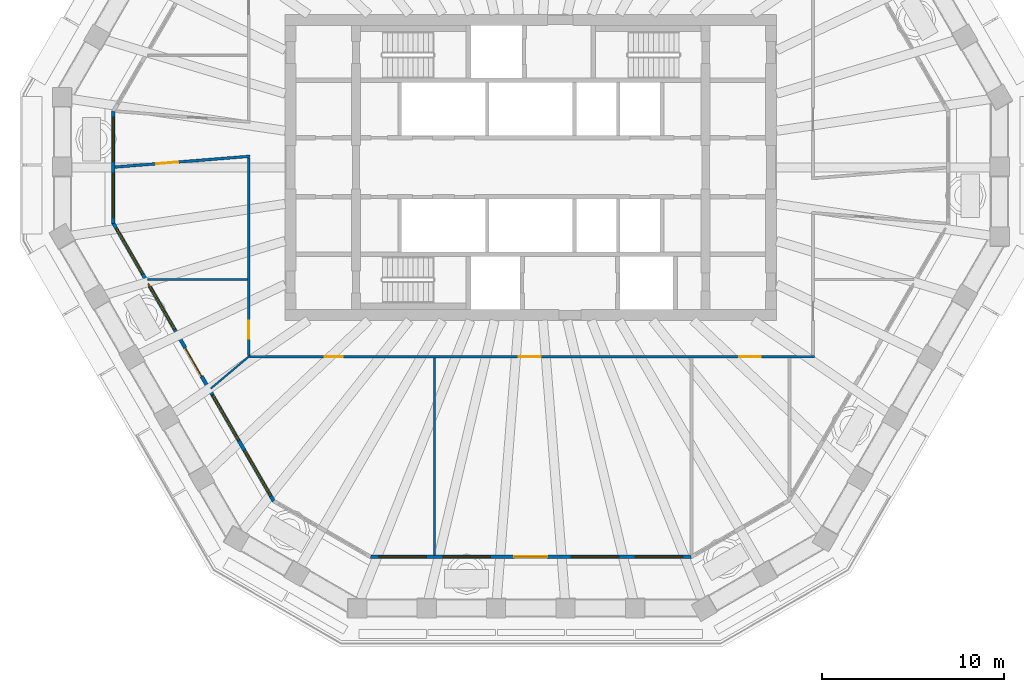
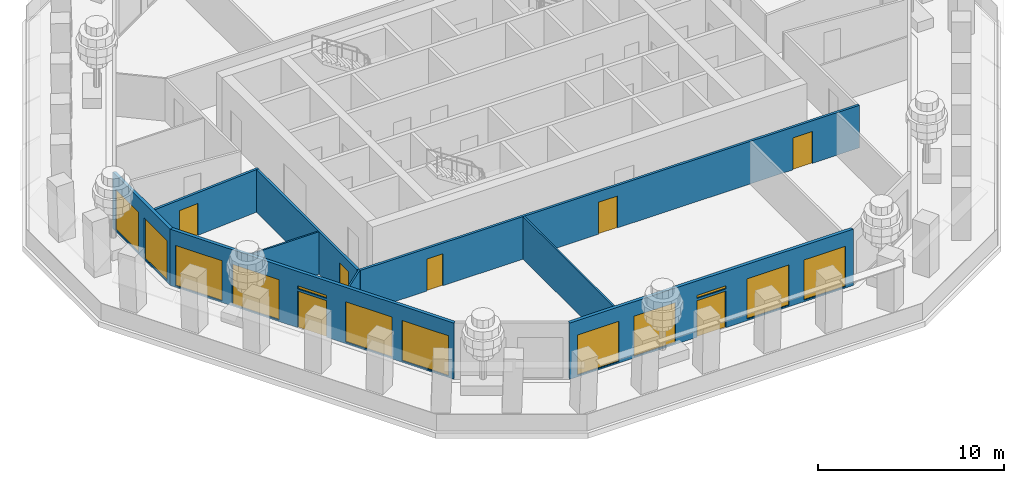
# One storey, part 3 of 12: 12 windows, 9 walls, 7 doors, 19 openings.
"""IFC4 building model written with IfcOpenShell, lengths in metres."""

from ifc_helpers import new_model, si_unit, direction, frame, frame_2d, origin, place, context, subcontext, project, spatial, polyline, rectangle, outline, extrude, material, layer, layer_set, type_object, element, fill, save


model = new_model("IFC4")

# Units and contexts
model_context = context("Model", 3, precision=1e-05, world=origin(), true_north=direction((0.0, 1.0)))
body_context = subcontext(model_context, "Body", "Model", "MODEL_VIEW")
ifc_project = project(units=[si_unit("LENGTHUNIT", "METRE"), si_unit("AREAUNIT", "SQUARE_METRE"), si_unit("VOLUMEUNIT", "CUBIC_METRE"), si_unit("PLANEANGLEUNIT", "RADIAN"), si_unit("MASSUNIT", "GRAM", prefix="KILO")], contexts=[model_context])

# Site, building, storey
site_placement = place(None, origin())
site = spatial("IfcSite", under=ifc_project, at=site_placement, CompositionType="ELEMENT")
building_placement = place(site_placement, origin())
building = spatial("IfcBuilding", under=site, at=building_placement, Name="Frailejon Research Tower", CompositionType="ELEMENT")
storey_placement = place(building_placement, frame((0.0, 0.0, 211.39990234375)))
storey = spatial("IfcBuildingStorey", under=building, at=storey_placement, Name="L45", CompositionType="ELEMENT", Elevation=211.39990234375)

# Wall, opening, door
ifc_material_1 = material(Name="Gypsum board and masonry partition", Category="masonry")
ifc_layer_1 = layer(ifc_material_1, 0.14990234375)
ifc_layer_set_1 = layer_set([ifc_layer_1], Name="Corridor wall EI 60, gypsum on steel studs 150")
wall_type_1 = type_object("IfcWallType", Name="Corridor wall EI 60, gypsum on steel studs 150", PredefinedType="PARTITIONING", material=ifc_layer_set_1)
wall_1_placement = place(storey_placement, frame((-15.5, -10.324951171875, 0.0), z_axis=(0.0, 0.0, 1.0), x_axis=(0.0, 1.0, 0.0)))
wall_1 = element("IfcWall", 1, at=wall_1_placement, inside=storey, type_object=wall_type_1, Name="T:IW:L45:004", PredefinedType="PARTITIONING", context=body_context, shape_type="SweptSolid", body=[
    extrude(rectangle(XDim=10.8515625, YDim=0.14990234375, at=frame_2d((5.42578125, 0.0))), origin(), (0.0, 0.0, 1.0), 2.800048828125),
])
opening_1_placement = place(wall_1_placement, frame((0.909423828125, 0.0, 0.0)))
opening_1 = element("IfcOpeningElement", 2, at=opening_1_placement, cuts=wall_1, Name="Opening D1942", PredefinedType="OPENING", context=body_context, shape_type="SweptSolid", body=[
    extrude(rectangle(XDim=1.0, YDim=2.10009765625, at=frame_2d((0.5, 1.050048828125))), frame((0.0, 0.0849609375, 0.0), z_axis=(0.0, -1.0, 0.0), x_axis=(1.0, 0.0, 0.0)), (0.0, 0.0, 1.0), 0.169921875),
])
ifc_material_2 = material(Name="Timber door leaf", Category="wood")
door_type_1 = type_object("IfcDoorType", Name="Door single leaf, timber, steel frame 1000", OperationType="NOTDEFINED", PredefinedType="DOOR", material=ifc_material_2)
door_1_placement = place(opening_1_placement, origin())
door_1 = element("IfcDoor", 3, at=door_1_placement, inside=storey, type_object=door_type_1, Name="D1942", OperationType="SINGLE_SWING_LEFT", OverallHeight=2.10009765625, OverallWidth=1.0, PredefinedType="DOOR", context=body_context, shape_type="SweptSolid", body=[
    extrude(rectangle(XDim=1.0, YDim=2.10009765625, at=frame_2d((0.5, 1.050048828125))), frame((0.0, 0.02490234375, 0.0), z_axis=(0.0, -1.0, 0.0), x_axis=(1.0, 0.0, 0.0)), (0.0, 0.0, 1.0), 0.050048828125),
])
fill(opening_1, door_1)

# Wall, openings, doors
wall_2_placement = place(storey_placement, frame((-15.449951171875, -10.39990234375, 0.0), z_axis=(0.0, 0.0, 1.0), x_axis=(1.0, 0.0, 0.0)))
wall_2 = element("IfcWall", 4, at=wall_2_placement, inside=storey, type_object=wall_type_1, Name="T:IW:L45:006", PredefinedType="PARTITIONING", context=body_context, shape_type="SweptSolid", body=[
    extrude(rectangle(XDim=31.02490234375, YDim=0.14990234375, at=frame_2d((15.512451171875, 0.0))), origin(), (0.0, 0.0, 1.0), 2.800048828125),
])
opening_2_placement = place(wall_2_placement, frame((4.11767578125, 0.0, 0.0)))
opening_2 = element("IfcOpeningElement", 5, at=opening_2_placement, cuts=wall_2, Name="Opening D1943", PredefinedType="OPENING", context=body_context, shape_type="SweptSolid", body=[
    extrude(rectangle(XDim=1.0, YDim=2.10009765625, at=frame_2d((0.5, 1.050048828125))), frame((0.0, 0.0849609375, 0.0), z_axis=(0.0, -1.0, 0.0), x_axis=(1.0, 0.0, 0.0)), (0.0, 0.0, 1.0), 0.169921875),
])
opening_3_placement = place(wall_2_placement, frame((14.78173828125, 0.0, 0.0)))
opening_3 = element("IfcOpeningElement", 6, at=opening_3_placement, cuts=wall_2, Name="Opening D1944", PredefinedType="OPENING", context=body_context, shape_type="SweptSolid", body=[
    extrude(rectangle(XDim=1.199951171875, YDim=2.10009765625, at=frame_2d((0.60009765625, 1.050048828125))), frame((0.0, 0.0849609375, 0.0), z_axis=(0.0, -1.0, 0.0), x_axis=(1.0, 0.0, 0.0)), (0.0, 0.0, 1.0), 0.169921875),
])
opening_4_placement = place(wall_2_placement, frame((26.888427734375, 0.0, 0.0)))
opening_4 = element("IfcOpeningElement", 7, at=opening_4_placement, cuts=wall_2, Name="Opening D1945", PredefinedType="OPENING", context=body_context, shape_type="SweptSolid", body=[
    extrude(rectangle(XDim=1.199951171875, YDim=2.10009765625, at=frame_2d((0.60009765625, 1.050048828125))), frame((0.0, 0.0849609375, 0.0), z_axis=(0.0, -1.0, 0.0), x_axis=(1.0, 0.0, 0.0)), (0.0, 0.0, 1.0), 0.169921875),
])
ifc_material_3 = material(Name="Timber door leaf", Category="wood")
door_type_2 = type_object("IfcDoorType", Name="Door laboratory, timber, vision panel 1200", OperationType="NOTDEFINED", PredefinedType="DOOR", material=ifc_material_3)
door_2_placement = place(opening_4_placement, origin())
door_2 = element("IfcDoor", 8, at=door_2_placement, inside=storey, type_object=door_type_2, Name="D1945", OperationType="DOUBLE_DOOR_SINGLE_SWING", OverallHeight=2.10009765625, OverallWidth=1.199951171875, PredefinedType="DOOR", context=body_context, shape_type="SweptSolid", body=[
    extrude(rectangle(XDim=1.199951171875, YDim=2.10009765625, at=frame_2d((0.60009765625, 1.050048828125))), frame((0.0, 0.02490234375, 0.0), z_axis=(0.0, -1.0, 0.0), x_axis=(1.0, 0.0, 0.0)), (0.0, 0.0, 1.0), 0.050048828125),
])
fill(opening_4, door_2)
door_3_placement = place(opening_2_placement, origin())
door_3 = element("IfcDoor", 9, at=door_3_placement, inside=storey, type_object=door_type_1, Name="D1943", OperationType="SINGLE_SWING_RIGHT", OverallHeight=2.10009765625, OverallWidth=1.0, PredefinedType="DOOR", context=body_context, shape_type="SweptSolid", body=[
    extrude(rectangle(XDim=1.0, YDim=2.10009765625, at=frame_2d((0.5, 1.050048828125))), frame((0.0, 0.02490234375, 0.0), z_axis=(0.0, -1.0, 0.0), x_axis=(1.0, 0.0, 0.0)), (0.0, 0.0, 1.0), 0.050048828125),
])
fill(opening_2, door_3)
ifc_material_4 = material(Name="Timber door leaf", Category="wood")
door_type_3 = type_object("IfcDoorType", Name="Door single leaf, timber, steel frame 1200", OperationType="NOTDEFINED", PredefinedType="DOOR", material=ifc_material_4)
door_4_placement = place(opening_3_placement, origin())
door_4 = element("IfcDoor", 10, at=door_4_placement, inside=storey, type_object=door_type_3, Name="D1944", OperationType="DOUBLE_DOOR_SINGLE_SWING", OverallHeight=2.10009765625, OverallWidth=1.199951171875, PredefinedType="DOOR", context=body_context, shape_type="SweptSolid", body=[
    extrude(rectangle(XDim=1.199951171875, YDim=2.10009765625, at=frame_2d((0.60009765625, 1.050048828125))), frame((0.0, 0.02490234375, 0.0), z_axis=(0.0, -1.0, 0.0), x_axis=(1.0, 0.0, 0.0)), (0.0, 0.0, 1.0), 0.050048828125),
])
fill(opening_3, door_4)

# Wall, opening, door
wall_3_placement = place(storey_placement, frame((-22.83447265625, 0.01611328125, 0.0), z_axis=(0.0, 0.0, 1.0), x_axis=(0.996827903335, 0.079587254837, 0.0)))
wall_3 = element("IfcWall", 11, at=wall_3_placement, inside=storey, type_object=wall_type_1, Name="T:IW:L45:008", PredefinedType="PARTITIONING", context=body_context, shape_type="SweptSolid", body=[
    extrude(rectangle(XDim=7.432861328125, YDim=0.14990234375, at=frame_2d((3.71630859375, 0.0))), origin(), (0.0, 0.0, 1.0), 2.800048828125),
])
opening_5_placement = place(wall_3_placement, frame((2.26025390625, 0.0, 0.0)))
opening_5 = element("IfcOpeningElement", 12, at=opening_5_placement, cuts=wall_3, Name="Opening D1941", PredefinedType="OPENING", context=body_context, shape_type="SweptSolid", body=[
    extrude(rectangle(XDim=1.199951171875, YDim=2.10009765625, at=frame_2d((0.60009765625, 1.050048828125))), frame((0.0, 0.0849609375, 0.0), z_axis=(0.0, -1.0, 0.0), x_axis=(1.0, 0.0, 0.0)), (0.0, 0.0, 1.0), 0.169921875),
])
door_5_placement = place(opening_5_placement, origin())
door_5 = element("IfcDoor", 13, at=door_5_placement, inside=storey, type_object=door_type_3, Name="D1941", OperationType="DOUBLE_DOOR_SINGLE_SWING", OverallHeight=2.10009765625, OverallWidth=1.199951171875, PredefinedType="DOOR", context=body_context, shape_type="SweptSolid", body=[
    extrude(rectangle(XDim=1.199951171875, YDim=2.10009765625, at=frame_2d((0.60009765625, 1.050048828125))), frame((0.0, 0.02490234375, 0.0), z_axis=(0.0, -1.0, 0.0), x_axis=(1.0, 0.0, 0.0)), (0.0, 0.0, 1.0), 0.050048828125),
])
fill(opening_5, door_5)

# Walls
ifc_material_5 = material(Name="Gypsum board and masonry partition", Category="masonry")
ifc_layer_2 = layer(ifc_material_5, 0.10009765625)
ifc_layer_set_2 = layer_set([ifc_layer_2], Name="Partition, gypsum on steel studs 100")
wall_type_2 = type_object("IfcWallType", Name="Partition, gypsum on steel studs 100", PredefinedType="PARTITIONING", material=ifc_layer_set_2)
wall_4_placement = place(storey_placement, frame((-21.03759765625, -6.162109375, 0.0), z_axis=(0.0, 0.0, 1.0), x_axis=(1.0, 0.0, 0.0)))
element("IfcWall", 14, at=wall_4_placement, inside=storey, type_object=wall_type_2, Name="T:IW:L45:018", PredefinedType="PARTITIONING", context=body_context, shape_type="SweptSolid", body=[
    extrude(rectangle(XDim=5.462646484375, YDim=0.10009765625, at=frame_2d((2.7314453125, 0.0))), origin(), (0.0, 0.0, 1.0), 2.800048828125),
])
wall_5_placement = place(storey_placement, frame((-17.5810546875, -12.148681640625, 0.0), z_axis=(0.0, 0.0, 1.0), x_axis=(0.765599818327, 0.643317121005, 0.0)))
element("IfcWall", 15, at=wall_5_placement, inside=storey, type_object=wall_type_2, Name="T:IW:L45:020", PredefinedType="PARTITIONING", context=body_context, shape_type="SweptSolid", body=[
    extrude(rectangle(XDim=2.793212890625, YDim=0.10009765625, at=frame_2d((1.396484375, 0.0))), origin(), (0.0, 0.0, 1.0), 2.800048828125),
])
wall_6_placement = place(storey_placement, frame((-5.2978515625, -21.300048828125, 0.0), z_axis=(0.0, 0.0, 1.0), x_axis=(0.0, 1.0, 0.0)))
element("IfcWall", 16, at=wall_6_placement, inside=storey, type_object=wall_type_2, Name="T:IW:L45:021", PredefinedType="PARTITIONING", context=body_context, shape_type="SweptSolid", body=[
    extrude(rectangle(XDim=10.824951171875, YDim=0.10009765625, at=frame_2d((5.41259765625, 0.0))), origin(), (0.0, 0.0, 1.0), 2.800048828125),
])

# Wall, openings, windows
ifc_material_6 = material(Name="Concrete C40/50 precast window wall panel", Category="concrete")
ifc_layer_3 = layer(ifc_material_6, 0.199951171875)
ifc_layer_set_3 = layer_set([ifc_layer_3], Name="Window wall 200")
wall_type_3 = type_object("IfcWallType", Name="Window wall 200", PredefinedType="SOLIDWALL", material=ifc_layer_set_3)
wall_7_placement = place(storey_placement, frame((-22.934326171875, 3.076416015625, 0.0), z_axis=(0.0, 0.0, 1.0), x_axis=(0.0, -1.0, 0.0)))
wall_7 = element("IfcWall", 17, at=wall_7_placement, inside=storey, type_object=wall_type_3, Name="Exterior wall L45", PredefinedType="SOLIDWALL", context=body_context, shape_type="SweptSolid", body=[
    extrude(outline(polyline([(-0.02685546875, -0.10009765625), (1.007568359375, -0.10009765625), (2.0419921875, -0.10009765625), (3.076416015625, -0.10009765625), (4.11083984375, -0.10009765625), (5.145263671875, -0.10009765625), (6.1796875, -0.10009765625), (6.1259765625, 0.10009765625), (5.109375, 0.10009765625), (4.093017578125, 0.10009765625), (3.076416015625, 0.10009765625), (2.059814453125, 0.10009765625), (1.04345703125, 0.10009765625), (0.02685546875, 0.10009765625), (-0.02685546875, -0.10009765625)])), origin(), (0.0, 0.0, 1.0), 3.7001953125),
])
opening_6_placement = place(wall_7_placement, frame((0.313232421875, 0.0, 0.10009765625)))
opening_6 = element("IfcOpeningElement", 18, at=opening_6_placement, cuts=wall_7, Name="Opening W17", PredefinedType="OPENING", context=body_context, shape_type="SweptSolid", body=[
    extrude(rectangle(XDim=2.449951171875, YDim=2.64990234375, at=frame_2d((1.22509765625, 1.324951171875))), frame((0.0, 0.10986328125, 0.0), z_axis=(0.0, -1.0, 0.0), x_axis=(1.0, 0.0, 0.0)), (0.0, 0.0, 1.0), 0.219970703125),
])
opening_7_placement = place(wall_7_placement, frame((3.3896484375, 0.0, 0.10009765625)))
opening_7 = element("IfcOpeningElement", 19, at=opening_7_placement, cuts=wall_7, Name="Opening W17", PredefinedType="OPENING", context=body_context, shape_type="SweptSolid", body=[
    extrude(rectangle(XDim=2.449951171875, YDim=2.64990234375, at=frame_2d((1.22509765625, 1.324951171875))), frame((0.0, 0.10986328125, 0.0), z_axis=(0.0, -1.0, 0.0), x_axis=(1.0, 0.0, 0.0)), (0.0, 0.0, 1.0), 0.219970703125),
])
ifc_material_7 = material(Name="Aluminium framed double glazing", Category="aluminium")
window_type_1 = type_object("IfcWindowType", Name="Window 2450x2650", PartitioningType="SINGLE_PANEL", PredefinedType="WINDOW", material=ifc_material_7)
window_1_placement = place(opening_6_placement, origin())
window_1 = element("IfcWindow", 20, at=window_1_placement, inside=storey, type_object=window_type_1, Name="Window L45", OverallHeight=2.64990234375, OverallWidth=2.449951171875, PartitioningType="SINGLE_PANEL", PredefinedType="WINDOW", context=body_context, shape_type="SweptSolid", body=[
    extrude(rectangle(XDim=2.449951171875, YDim=2.64990234375, at=frame_2d((1.22509765625, 1.324951171875))), frame((0.0, 0.030029296875, 0.0), z_axis=(0.0, -1.0, 0.0), x_axis=(1.0, 0.0, 0.0)), (0.0, 0.0, 1.0), 0.06005859375),
])
fill(opening_6, window_1)
window_2_placement = place(opening_7_placement, origin())
window_2 = element("IfcWindow", 21, at=window_2_placement, inside=storey, type_object=window_type_1, Name="Window L45", OverallHeight=2.64990234375, OverallWidth=2.449951171875, PartitioningType="SINGLE_PANEL", PredefinedType="WINDOW", context=body_context, shape_type="SweptSolid", body=[
    extrude(rectangle(XDim=2.449951171875, YDim=2.64990234375, at=frame_2d((1.22509765625, 1.324951171875))), frame((0.0, 0.030029296875, 0.0), z_axis=(0.0, -1.0, 0.0), x_axis=(1.0, 0.0, 0.0)), (0.0, 0.0, 1.0), 0.06005859375),
])
fill(opening_7, window_2)

# Wall, openings, door, windows
wall_8_placement = place(storey_placement, frame((-22.934326171875, -3.076416015625, 0.0), z_axis=(0.0, 0.0, 1.0), x_axis=(0.499992938033, -0.866029480975, 0.0)))
wall_8 = element("IfcWall", 22, at=wall_8_placement, inside=storey, type_object=wall_type_3, Name="Exterior wall L45", PredefinedType="SOLIDWALL", context=body_context, shape_type="SweptSolid", body=[
    extrude(outline(polyline([(-0.02685546875, -0.10009765625), (1.011962890625, -0.10009765625), (2.05078125, -0.10009765625), (3.089599609375, -0.10009765625), (4.12841796875, -0.10009765625), (5.1669921875, -0.10009765625), (6.205810546875, -0.10009765625), (7.24462890625, -0.10009765625), (8.283447265625, -0.10009765625), (9.322265625, -0.10009765625), (10.361083984375, -0.10009765625), (11.39990234375, -0.10009765625), (12.438720703125, -0.10009765625), (13.477294921875, -0.10009765625), (14.51611328125, -0.10009765625), (15.554931640625, -0.10009765625), (16.59375, -0.10009765625), (17.632568359375, -0.10009765625), (17.578857421875, 0.10009765625), (16.54638671875, 0.10009765625), (15.513916015625, 0.10009765625), (14.4814453125, 0.10009765625), (13.448974609375, 0.10009765625), (12.41650390625, 0.10009765625), (11.384033203125, 0.10009765625), (10.3515625, 0.10009765625), (9.319091796875, 0.10009765625), (8.28662109375, 0.10009765625), (7.254150390625, 0.10009765625), (6.2216796875, 0.10009765625), (5.189208984375, 0.10009765625), (4.15673828125, 0.10009765625), (3.124267578125, 0.10009765625), (2.091796875, 0.10009765625), (1.059326171875, 0.10009765625), (0.02685546875, 0.10009765625), (-0.02685546875, -0.10009765625)])), origin(), (0.0, 0.0, 1.0), 3.7001953125),
])
opening_8_placement = place(wall_8_placement, frame((0.310546875, 0.0, 0.10009765625)))
opening_8 = element("IfcOpeningElement", 23, at=opening_8_placement, cuts=wall_8, Name="Opening W20", PredefinedType="OPENING", context=body_context, shape_type="SweptSolid", body=[
    extrude(rectangle(XDim=2.89990234375, YDim=2.64990234375, at=frame_2d((1.449951171875, 1.324951171875))), frame((0.0, 0.10986328125, 0.0), z_axis=(0.0, -1.0, 0.0), x_axis=(1.0, 0.0, 0.0)), (0.0, 0.0, 1.0), 0.219970703125),
])
opening_9_placement = place(wall_8_placement, frame((3.831787109375, 0.0, 0.10009765625)))
opening_9 = element("IfcOpeningElement", 24, at=opening_9_placement, cuts=wall_8, Name="Opening W20", PredefinedType="OPENING", context=body_context, shape_type="SweptSolid", body=[
    extrude(rectangle(XDim=2.89990234375, YDim=2.64990234375, at=frame_2d((1.449951171875, 1.324951171875))), frame((0.0, 0.10986328125, 0.0), z_axis=(0.0, -1.0, 0.0), x_axis=(1.0, 0.0, 0.0)), (0.0, 0.0, 1.0), 0.219970703125),
])
opening_10_placement = place(wall_8_placement, frame((7.90283203125, 0.0, 0.0)))
opening_10 = element("IfcOpeningElement", 25, at=opening_10_placement, cuts=wall_8, Name="Opening LG45-4", PredefinedType="OPENING", context=body_context, shape_type="SweptSolid", body=[
    extrude(rectangle(XDim=1.800048828125, YDim=2.39990234375, at=frame_2d((0.89990234375, 1.199951171875))), frame((0.0, 0.10986328125, 0.0), z_axis=(0.0, -1.0, 0.0), x_axis=(1.0, 0.0, 0.0)), (0.0, 0.0, 1.0), 0.219970703125),
])
opening_11_placement = place(wall_8_placement, frame((7.90283203125, 0.0, 2.550048828125)))
opening_11 = element("IfcOpeningElement", 26, at=opening_11_placement, cuts=wall_8, Name="Opening W19", PredefinedType="OPENING", context=body_context, shape_type="SweptSolid", body=[
    extrude(rectangle(XDim=1.800048828125, YDim=0.199951171875, at=frame_2d((0.89990234375, 0.10009765625))), frame((0.0, 0.10986328125, 0.0), z_axis=(0.0, -1.0, 0.0), x_axis=(1.0, 0.0, 0.0)), (0.0, 0.0, 1.0), 0.219970703125),
])
opening_12_placement = place(wall_8_placement, frame((10.8740234375, 0.0, 0.10009765625)))
opening_12 = element("IfcOpeningElement", 27, at=opening_12_placement, cuts=wall_8, Name="Opening W20", PredefinedType="OPENING", context=body_context, shape_type="SweptSolid", body=[
    extrude(rectangle(XDim=2.89990234375, YDim=2.64990234375, at=frame_2d((1.449951171875, 1.324951171875))), frame((0.0, 0.10986328125, 0.0), z_axis=(0.0, -1.0, 0.0), x_axis=(1.0, 0.0, 0.0)), (0.0, 0.0, 1.0), 0.219970703125),
])
opening_13_placement = place(wall_8_placement, frame((14.395263671875, 0.0, 0.10009765625)))
opening_13 = element("IfcOpeningElement", 28, at=opening_13_placement, cuts=wall_8, Name="Opening W20", PredefinedType="OPENING", context=body_context, shape_type="SweptSolid", body=[
    extrude(rectangle(XDim=2.89990234375, YDim=2.64990234375, at=frame_2d((1.449951171875, 1.324951171875))), frame((0.0, 0.10986328125, 0.0), z_axis=(0.0, -1.0, 0.0), x_axis=(1.0, 0.0, 0.0)), (0.0, 0.0, 1.0), 0.219970703125),
])
ifc_material_8 = material(Name="Aluminium framed glazed door leaf", Category="aluminium")
door_type_4 = type_object("IfcDoorType", Name="Loggia door 1800x2400", OperationType="DOUBLE_DOOR_SINGLE_SWING", PredefinedType="DOOR", material=ifc_material_8)
door_6_placement = place(opening_10_placement, origin())
door_6 = element("IfcDoor", 29, at=door_6_placement, inside=storey, type_object=door_type_4, Name="Door LG45-4", OperationType="DOUBLE_DOOR_SINGLE_SWING", OverallHeight=2.39990234375, OverallWidth=1.800048828125, PredefinedType="DOOR", context=body_context, shape_type="SweptSolid", body=[
    extrude(rectangle(XDim=1.800048828125, YDim=2.39990234375, at=frame_2d((0.89990234375, 1.199951171875))), frame((0.0, 0.02490234375, 0.0), z_axis=(0.0, -1.0, 0.0), x_axis=(1.0, 0.0, 0.0)), (0.0, 0.0, 1.0), 0.050048828125),
])
fill(opening_10, door_6)
ifc_material_9 = material(Name="Aluminium framed double glazing", Category="aluminium")
window_type_2 = type_object("IfcWindowType", Name="Window 1800x200", PartitioningType="SINGLE_PANEL", PredefinedType="WINDOW", material=ifc_material_9)
window_3_placement = place(opening_11_placement, origin())
window_3 = element("IfcWindow", 30, at=window_3_placement, inside=storey, type_object=window_type_2, Name="Window L45", OverallHeight=0.199951171875, OverallWidth=1.800048828125, PartitioningType="SINGLE_PANEL", PredefinedType="WINDOW", context=body_context, shape_type="SweptSolid", body=[
    extrude(rectangle(XDim=1.800048828125, YDim=0.199951171875, at=frame_2d((0.89990234375, 0.10009765625))), frame((0.0, 0.030029296875, 0.0), z_axis=(0.0, -1.0, 0.0), x_axis=(1.0, 0.0, 0.0)), (0.0, 0.0, 1.0), 0.06005859375),
])
fill(opening_11, window_3)
ifc_material_10 = material(Name="Aluminium framed double glazing", Category="aluminium")
window_type_3 = type_object("IfcWindowType", Name="Window 2900x2650", PartitioningType="SINGLE_PANEL", PredefinedType="WINDOW", material=ifc_material_10)
window_4_placement = place(opening_8_placement, origin())
window_4 = element("IfcWindow", 31, at=window_4_placement, inside=storey, type_object=window_type_3, Name="Window L45", OverallHeight=2.64990234375, OverallWidth=2.89990234375, PartitioningType="SINGLE_PANEL", PredefinedType="WINDOW", context=body_context, shape_type="SweptSolid", body=[
    extrude(rectangle(XDim=2.89990234375, YDim=2.64990234375, at=frame_2d((1.449951171875, 1.324951171875))), frame((0.0, 0.030029296875, 0.0), z_axis=(0.0, -1.0, 0.0), x_axis=(1.0, 0.0, 0.0)), (0.0, 0.0, 1.0), 0.06005859375),
])
fill(opening_8, window_4)
window_5_placement = place(opening_9_placement, origin())
window_5 = element("IfcWindow", 32, at=window_5_placement, inside=storey, type_object=window_type_3, Name="Window L45", OverallHeight=2.64990234375, OverallWidth=2.89990234375, PartitioningType="SINGLE_PANEL", PredefinedType="WINDOW", context=body_context, shape_type="SweptSolid", body=[
    extrude(rectangle(XDim=2.89990234375, YDim=2.64990234375, at=frame_2d((1.449951171875, 1.324951171875))), frame((0.0, 0.030029296875, 0.0), z_axis=(0.0, -1.0, 0.0), x_axis=(1.0, 0.0, 0.0)), (0.0, 0.0, 1.0), 0.06005859375),
])
fill(opening_9, window_5)
window_6_placement = place(opening_12_placement, origin())
window_6 = element("IfcWindow", 33, at=window_6_placement, inside=storey, type_object=window_type_3, Name="Window L45", OverallHeight=2.64990234375, OverallWidth=2.89990234375, PartitioningType="SINGLE_PANEL", PredefinedType="WINDOW", context=body_context, shape_type="SweptSolid", body=[
    extrude(rectangle(XDim=2.89990234375, YDim=2.64990234375, at=frame_2d((1.449951171875, 1.324951171875))), frame((0.0, 0.030029296875, 0.0), z_axis=(0.0, -1.0, 0.0), x_axis=(1.0, 0.0, 0.0)), (0.0, 0.0, 1.0), 0.06005859375),
])
fill(opening_12, window_6)
window_7_placement = place(opening_13_placement, origin())
window_7 = element("IfcWindow", 34, at=window_7_placement, inside=storey, type_object=window_type_3, Name="Window L45", OverallHeight=2.64990234375, OverallWidth=2.89990234375, PartitioningType="SINGLE_PANEL", PredefinedType="WINDOW", context=body_context, shape_type="SweptSolid", body=[
    extrude(rectangle(XDim=2.89990234375, YDim=2.64990234375, at=frame_2d((1.449951171875, 1.324951171875))), frame((0.0, 0.030029296875, 0.0), z_axis=(0.0, -1.0, 0.0), x_axis=(1.0, 0.0, 0.0)), (0.0, 0.0, 1.0), 0.06005859375),
])
fill(opening_13, window_7)

wall_9_placement = place(storey_placement, frame((-8.802978515625, -21.39990234375, 0.0), z_axis=(0.0, 0.0, 1.0), x_axis=(1.0, 0.0, 0.0)))
wall_9 = element("IfcWall", 35, at=wall_9_placement, inside=storey, type_object=wall_type_3, Name="Exterior wall L45", PredefinedType="SOLIDWALL", context=body_context, shape_type="SweptSolid", body=[
    extrude(outline(polyline([(-0.02685546875, -0.10009765625), (1.011962890625, -0.10009765625), (2.05078125, -0.10009765625), (3.089599609375, -0.10009765625), (4.12841796875, -0.10009765625), (5.167236328125, -0.10009765625), (6.2060546875, -0.10009765625), (7.244873046875, -0.10009765625), (8.28369140625, -0.10009765625), (9.322265625, -0.10009765625), (10.361083984375, -0.10009765625), (11.39990234375, -0.10009765625), (12.438720703125, -0.10009765625), (13.4775390625, -0.10009765625), (14.516357421875, -0.10009765625), (15.55517578125, -0.10009765625), (16.593994140625, -0.10009765625), (17.6328125, -0.10009765625), (17.5791015625, 0.10009765625), (16.546630859375, 0.10009765625), (15.51416015625, 0.10009765625), (14.481689453125, 0.10009765625), (13.44921875, 0.10009765625), (12.416748046875, 0.10009765625), (11.38427734375, 0.10009765625), (10.351806640625, 0.10009765625), (9.3193359375, 0.10009765625), (8.28662109375, 0.10009765625), (7.254150390625, 0.10009765625), (6.2216796875, 0.10009765625), (5.189208984375, 0.10009765625), (4.15673828125, 0.10009765625), (3.124267578125, 0.10009765625), (2.091796875, 0.10009765625), (1.059326171875, 0.10009765625), (0.02685546875, 0.10009765625), (-0.02685546875, -0.10009765625)])), origin(), (0.0, 0.0, 1.0), 3.7001953125),
])
opening_14_placement = place(wall_9_placement, frame((0.460693359375, 0.0, 0.10009765625)))
opening_14 = element("IfcOpeningElement", 36, at=opening_14_placement, cuts=wall_9, Name="Opening W18", PredefinedType="OPENING", context=body_context, shape_type="SweptSolid", body=[
    extrude(rectangle(XDim=2.60009765625, YDim=2.64990234375, at=frame_2d((1.300048828125, 1.324951171875))), frame((0.0, 0.10986328125, 0.0), z_axis=(0.0, -1.0, 0.0), x_axis=(1.0, 0.0, 0.0)), (0.0, 0.0, 1.0), 0.219970703125),
])
opening_15_placement = place(wall_9_placement, frame((3.981689453125, 0.0, 0.10009765625)))
opening_15 = element("IfcOpeningElement", 37, at=opening_15_placement, cuts=wall_9, Name="Opening W18", PredefinedType="OPENING", context=body_context, shape_type="SweptSolid", body=[
    extrude(rectangle(XDim=2.60009765625, YDim=2.64990234375, at=frame_2d((1.300048828125, 1.324951171875))), frame((0.0, 0.10986328125, 0.0), z_axis=(0.0, -1.0, 0.0), x_axis=(1.0, 0.0, 0.0)), (0.0, 0.0, 1.0), 0.219970703125),
])
opening_16_placement = place(wall_9_placement, frame((7.90283203125, 0.0, 0.0)))
opening_16 = element("IfcOpeningElement", 38, at=opening_16_placement, cuts=wall_9, Name="Opening LG45-5", PredefinedType="OPENING", context=body_context, shape_type="SweptSolid", body=[
    extrude(rectangle(XDim=1.800048828125, YDim=2.39990234375, at=frame_2d((0.89990234375, 1.199951171875))), frame((0.0, 0.10986328125, 0.0), z_axis=(0.0, -1.0, 0.0), x_axis=(1.0, 0.0, 0.0)), (0.0, 0.0, 1.0), 0.219970703125),
])
opening_17_placement = place(wall_9_placement, frame((7.90283203125, 0.0, 2.550048828125)))
opening_17 = element("IfcOpeningElement", 39, at=opening_17_placement, cuts=wall_9, Name="Opening W19", PredefinedType="OPENING", context=body_context, shape_type="SweptSolid", body=[
    extrude(rectangle(XDim=1.800048828125, YDim=0.199951171875, at=frame_2d((0.89990234375, 0.10009765625))), frame((0.0, 0.10986328125, 0.0), z_axis=(0.0, -1.0, 0.0), x_axis=(1.0, 0.0, 0.0)), (0.0, 0.0, 1.0), 0.219970703125),
])
opening_18_placement = place(wall_9_placement, frame((11.024169921875, 0.0, 0.10009765625)))
opening_18 = element("IfcOpeningElement", 40, at=opening_18_placement, cuts=wall_9, Name="Opening W18", PredefinedType="OPENING", context=body_context, shape_type="SweptSolid", body=[
    extrude(rectangle(XDim=2.60009765625, YDim=2.64990234375, at=frame_2d((1.300048828125, 1.324951171875))), frame((0.0, 0.10986328125, 0.0), z_axis=(0.0, -1.0, 0.0), x_axis=(1.0, 0.0, 0.0)), (0.0, 0.0, 1.0), 0.219970703125),
])
opening_19_placement = place(wall_9_placement, frame((14.545166015625, 0.0, 0.10009765625)))
opening_19 = element("IfcOpeningElement", 41, at=opening_19_placement, cuts=wall_9, Name="Opening W18", PredefinedType="OPENING", context=body_context, shape_type="SweptSolid", body=[
    extrude(rectangle(XDim=2.60009765625, YDim=2.64990234375, at=frame_2d((1.300048828125, 1.324951171875))), frame((0.0, 0.10986328125, 0.0), z_axis=(0.0, -1.0, 0.0), x_axis=(1.0, 0.0, 0.0)), (0.0, 0.0, 1.0), 0.219970703125),
])
door_7_placement = place(opening_16_placement, origin())
door_7 = element("IfcDoor", 42, at=door_7_placement, inside=storey, type_object=door_type_4, Name="Door LG45-5", OperationType="DOUBLE_DOOR_SINGLE_SWING", OverallHeight=2.39990234375, OverallWidth=1.800048828125, PredefinedType="DOOR", context=body_context, shape_type="SweptSolid", body=[
    extrude(rectangle(XDim=1.800048828125, YDim=2.39990234375, at=frame_2d((0.89990234375, 1.199951171875))), frame((0.0, 0.02490234375, 0.0), z_axis=(0.0, -1.0, 0.0), x_axis=(1.0, 0.0, 0.0)), (0.0, 0.0, 1.0), 0.050048828125),
])
fill(opening_16, door_7)
window_8_placement = place(opening_17_placement, origin())
window_8 = element("IfcWindow", 43, at=window_8_placement, inside=storey, type_object=window_type_2, Name="Window L45", OverallHeight=0.199951171875, OverallWidth=1.800048828125, PartitioningType="SINGLE_PANEL", PredefinedType="WINDOW", context=body_context, shape_type="SweptSolid", body=[
    extrude(rectangle(XDim=1.800048828125, YDim=0.199951171875, at=frame_2d((0.89990234375, 0.10009765625))), frame((0.0, 0.030029296875, 0.0), z_axis=(0.0, -1.0, 0.0), x_axis=(1.0, 0.0, 0.0)), (0.0, 0.0, 1.0), 0.06005859375),
])
fill(opening_17, window_8)
ifc_material_11 = material(Name="Aluminium framed double glazing", Category="aluminium")
window_type_4 = type_object("IfcWindowType", Name="Window 2600x2650", PartitioningType="SINGLE_PANEL", PredefinedType="WINDOW", material=ifc_material_11)
window_9_placement = place(opening_14_placement, origin())
window_9 = element("IfcWindow", 44, at=window_9_placement, inside=storey, type_object=window_type_4, Name="Window L45", OverallHeight=2.64990234375, OverallWidth=2.60009765625, PartitioningType="SINGLE_PANEL", PredefinedType="WINDOW", context=body_context, shape_type="SweptSolid", body=[
    extrude(rectangle(XDim=2.60009765625, YDim=2.64990234375, at=frame_2d((1.300048828125, 1.324951171875))), frame((0.0, 0.030029296875, 0.0), z_axis=(0.0, -1.0, 0.0), x_axis=(1.0, 0.0, 0.0)), (0.0, 0.0, 1.0), 0.06005859375),
])
fill(opening_14, window_9)
window_10_placement = place(opening_15_placement, origin())
window_10 = element("IfcWindow", 45, at=window_10_placement, inside=storey, type_object=window_type_4, Name="Window L45", OverallHeight=2.64990234375, OverallWidth=2.60009765625, PartitioningType="SINGLE_PANEL", PredefinedType="WINDOW", context=body_context, shape_type="SweptSolid", body=[
    extrude(rectangle(XDim=2.60009765625, YDim=2.64990234375, at=frame_2d((1.300048828125, 1.324951171875))), frame((0.0, 0.030029296875, 0.0), z_axis=(0.0, -1.0, 0.0), x_axis=(1.0, 0.0, 0.0)), (0.0, 0.0, 1.0), 0.06005859375),
])
fill(opening_15, window_10)
window_11_placement = place(opening_18_placement, origin())
window_11 = element("IfcWindow", 46, at=window_11_placement, inside=storey, type_object=window_type_4, Name="Window L45", OverallHeight=2.64990234375, OverallWidth=2.60009765625, PartitioningType="SINGLE_PANEL", PredefinedType="WINDOW", context=body_context, shape_type="SweptSolid", body=[
    extrude(rectangle(XDim=2.60009765625, YDim=2.64990234375, at=frame_2d((1.300048828125, 1.324951171875))), frame((0.0, 0.030029296875, 0.0), z_axis=(0.0, -1.0, 0.0), x_axis=(1.0, 0.0, 0.0)), (0.0, 0.0, 1.0), 0.06005859375),
])
fill(opening_18, window_11)
window_12_placement = place(opening_19_placement, origin())
window_12 = element("IfcWindow", 47, at=window_12_placement, inside=storey, type_object=window_type_4, Name="Window L45", OverallHeight=2.64990234375, OverallWidth=2.60009765625, PartitioningType="SINGLE_PANEL", PredefinedType="WINDOW", context=body_context, shape_type="SweptSolid", body=[
    extrude(rectangle(XDim=2.60009765625, YDim=2.64990234375, at=frame_2d((1.300048828125, 1.324951171875))), frame((0.0, 0.030029296875, 0.0), z_axis=(0.0, -1.0, 0.0), x_axis=(1.0, 0.0, 0.0)), (0.0, 0.0, 1.0), 0.06005859375),
])
fill(opening_19, window_12)

save(model, "model.ifc")
